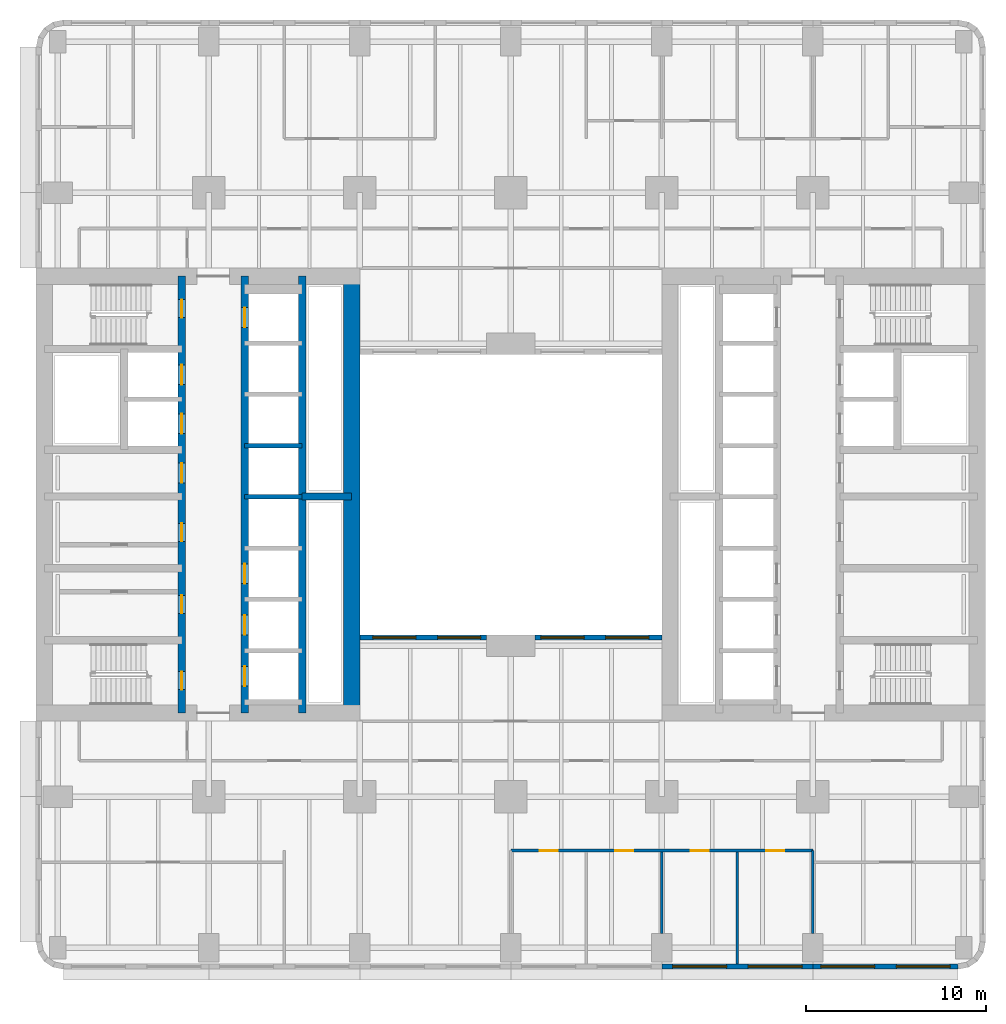
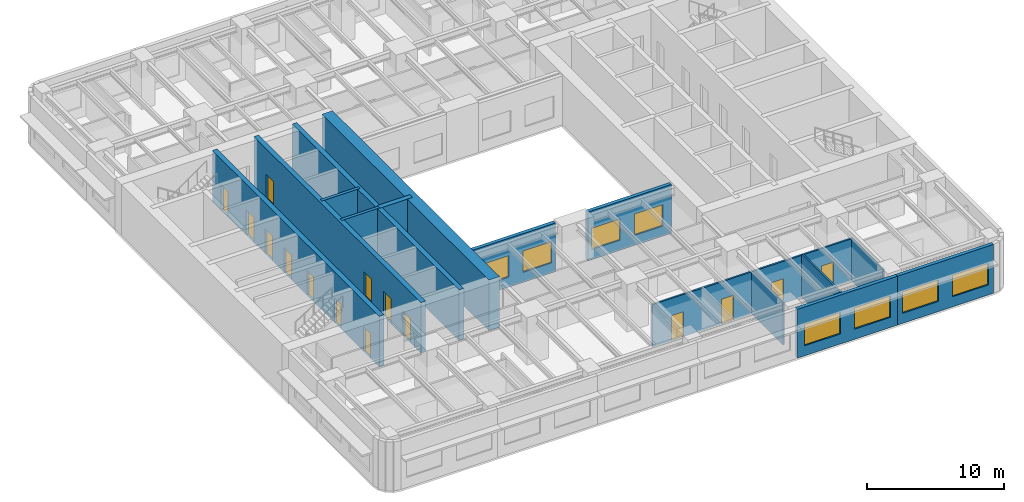
# One storey, part 4 of 14: 15 doors, 15 walls, 8 windows, 23 openings.
"""IFC4 building model written with IfcOpenShell, lengths in metres."""

from ifc_helpers import new_model, si_unit, direction, frame, frame_2d, origin, place, context, subcontext, project, spatial, rectangle, extrude, material, layer, layer_set, type_object, element, fill, save


model = new_model("IFC4")

# Units and contexts
model_context = context("Model", 3, precision=1e-05, world=origin(), true_north=direction((0.0, 1.0)))
body_context = subcontext(model_context, "Body", "Model", "MODEL_VIEW")
ifc_project = project(units=[si_unit("LENGTHUNIT", "METRE"), si_unit("AREAUNIT", "SQUARE_METRE"), si_unit("VOLUMEUNIT", "CUBIC_METRE"), si_unit("PLANEANGLEUNIT", "RADIAN"), si_unit("MASSUNIT", "GRAM", prefix="KILO")], contexts=[model_context])

# Site, building, storey
site_placement = place(None, origin())
site = spatial("IfcSite", under=ifc_project, at=site_placement, CompositionType="ELEMENT")
building_placement = place(site_placement, origin())
building = spatial("IfcBuilding", under=site, at=building_placement, Name="Claustro Exchange Tower", CompositionType="ELEMENT")
storey_placement = place(building_placement, frame((0.0, 0.0, 32.39990234375)))
storey = spatial("IfcBuildingStorey", under=building, at=storey_placement, Name="L07", CompositionType="ELEMENT", Elevation=32.39990234375)

# Wall, openings, doors
ifc_material_1 = material(Name="Gypsum board on steel studs", Category="steel")
ifc_layer_1 = layer(ifc_material_1, 0.14990234375)
ifc_layer_set_1 = layer_set([ifc_layer_1], Name="Gypsum board on steel studs")
wall_type_1 = type_object("IfcWallType", Name="P1 150 plasterboard partition", PredefinedType="PARTITIONING", material=ifc_layer_set_1)
wall_1_placement = place(storey_placement, frame((25.199951171875, 5.39990234375, 0.0), z_axis=(0.0, 0.0, 1.0), x_axis=(1.0, 0.0, 0.0)))
wall_1 = element("IfcWall", 1, at=wall_1_placement, inside=storey, type_object=wall_type_1, Name="Partition P1 L07", PredefinedType="PARTITIONING", context=body_context, shape_type="SweptSolid", body=[
    extrude(rectangle(XDim=16.800048828125, YDim=0.14990234375, at=frame_2d((8.39990234375, 0.0))), origin(), (0.0, 0.0, 1.0), 3.739990234375),
])
opening_1_placement = place(wall_1_placement, frame((1.60009765625, 0.0, 0.0)))
opening_1 = element("IfcOpeningElement", 2, at=opening_1_placement, cuts=wall_1, Name="Opening D1", PredefinedType="OPENING", context=body_context, shape_type="SweptSolid", body=[
    extrude(rectangle(XDim=1.0, YDim=2.199951171875, at=frame_2d((0.5, 1.10009765625))), frame((0.0, 0.0849609375, 0.0), z_axis=(0.0, -1.0, 0.0), x_axis=(1.0, 0.0, 0.0)), (0.0, 0.0, 1.0), 0.169921875),
])
opening_2_placement = place(wall_1_placement, frame((5.800048828125, 0.0, 0.0)))
opening_2 = element("IfcOpeningElement", 3, at=opening_2_placement, cuts=wall_1, Name="Opening D1", PredefinedType="OPENING", context=body_context, shape_type="SweptSolid", body=[
    extrude(rectangle(XDim=1.0, YDim=2.199951171875, at=frame_2d((0.5, 1.10009765625))), frame((0.0, 0.0849609375, 0.0), z_axis=(0.0, -1.0, 0.0), x_axis=(1.0, 0.0, 0.0)), (0.0, 0.0, 1.0), 0.169921875),
])
opening_3_placement = place(wall_1_placement, frame((10.0, 0.0, 0.0)))
opening_3 = element("IfcOpeningElement", 4, at=opening_3_placement, cuts=wall_1, Name="Opening D1", PredefinedType="OPENING", context=body_context, shape_type="SweptSolid", body=[
    extrude(rectangle(XDim=1.0, YDim=2.199951171875, at=frame_2d((0.5, 1.10009765625))), frame((0.0, 0.0849609375, 0.0), z_axis=(0.0, -1.0, 0.0), x_axis=(1.0, 0.0, 0.0)), (0.0, 0.0, 1.0), 0.169921875),
])
opening_4_placement = place(wall_1_placement, frame((14.199951171875, 0.0, 0.0)))
opening_4 = element("IfcOpeningElement", 5, at=opening_4_placement, cuts=wall_1, Name="Opening D1", PredefinedType="OPENING", context=body_context, shape_type="SweptSolid", body=[
    extrude(rectangle(XDim=1.0, YDim=2.199951171875, at=frame_2d((0.5, 1.10009765625))), frame((0.0, 0.0849609375, 0.0), z_axis=(0.0, -1.0, 0.0), x_axis=(1.0, 0.0, 0.0)), (0.0, 0.0, 1.0), 0.169921875),
])
ifc_material_2 = material(Name="Timber door, oak veneer", Category="wood")
door_type_1 = type_object("IfcDoorType", Name="D1 1000 x 2200 single door", OperationType="SINGLE_SWING_LEFT", PredefinedType="DOOR", material=ifc_material_2)
door_1_placement = place(opening_1_placement, frame((1.0, 0.0, 0.0), z_axis=(0.0, 0.0, 1.0), x_axis=(-1.0, 0.0, 0.0)))
door_1 = element("IfcDoor", 6, at=door_1_placement, inside=storey, type_object=door_type_1, Name="Door D1 L07", OperationType="SINGLE_SWING_LEFT", OverallHeight=2.199951171875, OverallWidth=1.0, PredefinedType="DOOR", context=body_context, shape_type="SweptSolid", body=[
    extrude(rectangle(XDim=1.0, YDim=2.199951171875, at=frame_2d((0.5, 1.10009765625))), frame((0.0, 0.02490234375, 0.0), z_axis=(0.0, -1.0, 0.0), x_axis=(1.0, 0.0, 0.0)), (0.0, 0.0, 1.0), 0.050048828125),
])
fill(opening_1, door_1)
door_2_placement = place(opening_2_placement, frame((1.0, 0.0, 0.0), z_axis=(0.0, 0.0, 1.0), x_axis=(-1.0, 0.0, 0.0)))
door_2 = element("IfcDoor", 7, at=door_2_placement, inside=storey, type_object=door_type_1, Name="Door D1 L07", OperationType="SINGLE_SWING_RIGHT", OverallHeight=2.199951171875, OverallWidth=1.0, PredefinedType="DOOR", context=body_context, shape_type="SweptSolid", body=[
    extrude(rectangle(XDim=1.0, YDim=2.199951171875, at=frame_2d((0.5, 1.10009765625))), frame((0.0, 0.02490234375, 0.0), z_axis=(0.0, -1.0, 0.0), x_axis=(1.0, 0.0, 0.0)), (0.0, 0.0, 1.0), 0.050048828125),
])
fill(opening_2, door_2)
door_3_placement = place(opening_3_placement, frame((1.0, 0.0, 0.0), z_axis=(0.0, 0.0, 1.0), x_axis=(-1.0, 0.0, 0.0)))
door_3 = element("IfcDoor", 8, at=door_3_placement, inside=storey, type_object=door_type_1, Name="Door D1 L07", OperationType="SINGLE_SWING_RIGHT", OverallHeight=2.199951171875, OverallWidth=1.0, PredefinedType="DOOR", context=body_context, shape_type="SweptSolid", body=[
    extrude(rectangle(XDim=1.0, YDim=2.199951171875, at=frame_2d((0.5, 1.10009765625))), frame((0.0, 0.02490234375, 0.0), z_axis=(0.0, -1.0, 0.0), x_axis=(1.0, 0.0, 0.0)), (0.0, 0.0, 1.0), 0.050048828125),
])
fill(opening_3, door_3)
door_4_placement = place(opening_4_placement, frame((1.0, 0.0, 0.0), z_axis=(0.0, 0.0, 1.0), x_axis=(-1.0, 0.0, 0.0)))
door_4 = element("IfcDoor", 9, at=door_4_placement, inside=storey, type_object=door_type_1, Name="Door D1 L07", OperationType="SINGLE_SWING_RIGHT", OverallHeight=2.199951171875, OverallWidth=1.0, PredefinedType="DOOR", context=body_context, shape_type="SweptSolid", body=[
    extrude(rectangle(XDim=1.0, YDim=2.199951171875, at=frame_2d((0.5, 1.10009765625))), frame((0.0, 0.02490234375, 0.0), z_axis=(0.0, -1.0, 0.0), x_axis=(1.0, 0.0, 0.0)), (0.0, 0.0, 1.0), 0.050048828125),
])
fill(opening_4, door_4)

# Walls
wall_2_placement = place(storey_placement, frame((33.60009765625, 0.799072265625, 0.0), z_axis=(0.0, 0.0, 1.0), x_axis=(0.0, 1.0, 0.0)))
element("IfcWall", 10, at=wall_2_placement, inside=storey, type_object=wall_type_1, Name="Partition P1 L07", PredefinedType="PARTITIONING", context=body_context, shape_type="SweptSolid", body=[
    extrude(rectangle(XDim=4.52685546875, YDim=0.14990234375, at=frame_2d((2.263427734375, 0.0))), origin(), (0.0, 0.0, 1.0), 3.739990234375),
])
wall_3_placement = place(storey_placement, frame((37.800048828125, -0.902099609375, 0.0), z_axis=(0.0, 0.0, 1.0), x_axis=(0.0, 1.0, 0.0)))
element("IfcWall", 11, at=wall_3_placement, inside=storey, type_object=wall_type_1, Name="Partition P1 L07", PredefinedType="PARTITIONING", context=body_context, shape_type="SweptSolid", body=[
    extrude(rectangle(XDim=6.22802734375, YDim=0.14990234375, at=frame_2d((3.114013671875, 0.0))), origin(), (0.0, 0.0, 1.0), 3.840087890625),
])
wall_4_placement = place(storey_placement, frame((42.0, 0.799072265625, 0.0), z_axis=(0.0, 0.0, 1.0), x_axis=(0.0, 1.0, 0.0)))
element("IfcWall", 12, at=wall_4_placement, inside=storey, type_object=wall_type_1, Name="Partition P1 L07", PredefinedType="PARTITIONING", context=body_context, shape_type="SweptSolid", body=[
    extrude(rectangle(XDim=4.600830078125, YDim=0.14990234375, at=frame_2d((2.30029296875, 0.0))), origin(), (0.0, 0.0, 1.0), 3.739990234375),
])

# Wall, openings, windows
ifc_material_3 = material(Name="Concrete HA-40 (C40/50), precast, white cement, acid-etched", Category="concrete")
ifc_layer_2 = layer(ifc_material_3, 0.300048828125)
ifc_layer_set_2 = layer_set([ifc_layer_2], Name="Concrete HA-40 (C40/50), precast, white cement, acid-etched")
wall_type_2 = type_object("IfcWallType", Name="PC1 300 precast concrete pier panel", PredefinedType="SOLIDWALL", material=ifc_layer_set_2)
wall_5_placement = place(storey_placement, frame((50.085205078125, -1.050048828125, 0.0), z_axis=(0.0, 0.0, 1.0), x_axis=(-1.0, 0.0, 0.0)))
wall_5 = element("IfcWall", 13, at=wall_5_placement, inside=storey, type_object=wall_type_2, Name="Precast pier panel PC1 L07", PredefinedType="SOLIDWALL", context=body_context, shape_type="SweptSolid", body=[
    extrude(rectangle(XDim=8.085205078125, YDim=0.300048828125, at=frame_2d((4.04248046875, 0.0))), origin(), (0.0, 0.0, 1.0), 4.340087890625),
])
opening_5_placement = place(wall_5_placement, frame((0.442626953125, 0.0, 0.89990234375)))
opening_5 = element("IfcOpeningElement", 14, at=opening_5_placement, cuts=wall_5, Name="Opening W1", PredefinedType="OPENING", context=body_context, shape_type="SweptSolid", body=[
    extrude(rectangle(XDim=3.0, YDim=1.89990234375, at=frame_2d((1.5, 0.949951171875))), frame((0.0, 0.159912109375, 0.0), z_axis=(0.0, -1.0, 0.0), x_axis=(1.0, 0.0, 0.0)), (0.0, 0.0, 1.0), 0.320068359375),
])
opening_6_placement = place(wall_5_placement, frame((4.642578125, 0.0, 0.89990234375)))
opening_6 = element("IfcOpeningElement", 15, at=opening_6_placement, cuts=wall_5, Name="Opening W1", PredefinedType="OPENING", context=body_context, shape_type="SweptSolid", body=[
    extrude(rectangle(XDim=3.0, YDim=1.89990234375, at=frame_2d((1.5, 0.949951171875))), frame((0.0, 0.159912109375, 0.0), z_axis=(0.0, -1.0, 0.0), x_axis=(1.0, 0.0, 0.0)), (0.0, 0.0, 1.0), 0.320068359375),
])
ifc_material_4 = material(Name="Aluminium frame, clear double glazing", Category="aluminium")
window_type_1 = type_object("IfcWindowType", Name="W1 3000 x 1900 window", PartitioningType="SINGLE_PANEL", PredefinedType="WINDOW", material=ifc_material_4)
window_1_placement = place(opening_5_placement, origin())
window_1 = element("IfcWindow", 16, at=window_1_placement, inside=storey, type_object=window_type_1, Name="Window W1 L07", OverallHeight=1.89990234375, OverallWidth=3.0, PartitioningType="SINGLE_PANEL", PredefinedType="WINDOW", context=body_context, shape_type="SweptSolid", body=[
    extrude(rectangle(XDim=3.0, YDim=1.89990234375, at=frame_2d((1.5, 0.949951171875))), frame((0.0, 0.030029296875, 0.0), z_axis=(0.0, -1.0, 0.0), x_axis=(1.0, 0.0, 0.0)), (0.0, 0.0, 1.0), 0.06005859375),
])
fill(opening_5, window_1)
window_2_placement = place(opening_6_placement, origin())
window_2 = element("IfcWindow", 17, at=window_2_placement, inside=storey, type_object=window_type_1, Name="Window W1 L07", OverallHeight=1.89990234375, OverallWidth=3.0, PartitioningType="SINGLE_PANEL", PredefinedType="WINDOW", context=body_context, shape_type="SweptSolid", body=[
    extrude(rectangle(XDim=3.0, YDim=1.89990234375, at=frame_2d((1.5, 0.949951171875))), frame((0.0, 0.030029296875, 0.0), z_axis=(0.0, -1.0, 0.0), x_axis=(1.0, 0.0, 0.0)), (0.0, 0.0, 1.0), 0.06005859375),
])
fill(opening_6, window_2)

wall_6_placement = place(storey_placement, frame((42.0, -1.050048828125, 0.0), z_axis=(0.0, 0.0, 1.0), x_axis=(-1.0, 0.0, 0.0)))
wall_6 = element("IfcWall", 18, at=wall_6_placement, inside=storey, type_object=wall_type_2, Name="Precast pier panel PC1 L07", PredefinedType="SOLIDWALL", context=body_context, shape_type="SweptSolid", body=[
    extrude(rectangle(XDim=8.39990234375, YDim=0.300048828125, at=frame_2d((4.199951171875, 0.0))), origin(), (0.0, 0.0, 1.0), 4.340087890625),
])
opening_7_placement = place(wall_6_placement, frame((0.60009765625, 0.0, 0.89990234375)))
opening_7 = element("IfcOpeningElement", 19, at=opening_7_placement, cuts=wall_6, Name="Opening W1", PredefinedType="OPENING", context=body_context, shape_type="SweptSolid", body=[
    extrude(rectangle(XDim=3.0, YDim=1.89990234375, at=frame_2d((1.5, 0.949951171875))), frame((0.0, 0.159912109375, 0.0), z_axis=(0.0, -1.0, 0.0), x_axis=(1.0, 0.0, 0.0)), (0.0, 0.0, 1.0), 0.320068359375),
])
opening_8_placement = place(wall_6_placement, frame((4.800048828125, 0.0, 0.89990234375)))
opening_8 = element("IfcOpeningElement", 20, at=opening_8_placement, cuts=wall_6, Name="Opening W1", PredefinedType="OPENING", context=body_context, shape_type="SweptSolid", body=[
    extrude(rectangle(XDim=3.0, YDim=1.89990234375, at=frame_2d((1.5, 0.949951171875))), frame((0.0, 0.159912109375, 0.0), z_axis=(0.0, -1.0, 0.0), x_axis=(1.0, 0.0, 0.0)), (0.0, 0.0, 1.0), 0.320068359375),
])
window_3_placement = place(opening_7_placement, origin())
window_3 = element("IfcWindow", 21, at=window_3_placement, inside=storey, type_object=window_type_1, Name="Window W1 L07", OverallHeight=1.89990234375, OverallWidth=3.0, PartitioningType="SINGLE_PANEL", PredefinedType="WINDOW", context=body_context, shape_type="SweptSolid", body=[
    extrude(rectangle(XDim=3.0, YDim=1.89990234375, at=frame_2d((1.5, 0.949951171875))), frame((0.0, 0.030029296875, 0.0), z_axis=(0.0, -1.0, 0.0), x_axis=(1.0, 0.0, 0.0)), (0.0, 0.0, 1.0), 0.06005859375),
])
fill(opening_7, window_3)
window_4_placement = place(opening_8_placement, origin())
window_4 = element("IfcWindow", 22, at=window_4_placement, inside=storey, type_object=window_type_1, Name="Window W1 L07", OverallHeight=1.89990234375, OverallWidth=3.0, PartitioningType="SINGLE_PANEL", PredefinedType="WINDOW", context=body_context, shape_type="SweptSolid", body=[
    extrude(rectangle(XDim=3.0, YDim=1.89990234375, at=frame_2d((1.5, 0.949951171875))), frame((0.0, 0.030029296875, 0.0), z_axis=(0.0, -1.0, 0.0), x_axis=(1.0, 0.0, 0.0)), (0.0, 0.0, 1.0), 0.06005859375),
])
fill(opening_8, window_4)

wall_7_placement = place(storey_placement, frame((16.800048828125, 17.25, 0.0), z_axis=(0.0, 0.0, 1.0), x_axis=(1.0, 0.0, 0.0)))
wall_7 = element("IfcWall", 23, at=wall_7_placement, inside=storey, type_object=wall_type_2, Name="Precast pier panel PC1 L07", PredefinedType="SOLIDWALL", context=body_context, shape_type="SweptSolid", body=[
    extrude(rectangle(XDim=7.050048828125, YDim=0.300048828125, at=frame_2d((3.52490234375, 0.0))), origin(), (0.0, 0.0, 1.0), 4.340087890625),
])
opening_9_placement = place(wall_7_placement, frame((0.72509765625, 0.0, 0.89990234375)))
opening_9 = element("IfcOpeningElement", 24, at=opening_9_placement, cuts=wall_7, Name="Opening W2", PredefinedType="OPENING", context=body_context, shape_type="SweptSolid", body=[
    extrude(rectangle(XDim=2.39990234375, YDim=1.89990234375, at=frame_2d((1.199951171875, 0.949951171875))), frame((0.0, 0.159912109375, 0.0), z_axis=(0.0, -1.0, 0.0), x_axis=(1.0, 0.0, 0.0)), (0.0, 0.0, 1.0), 0.320068359375),
])
opening_10_placement = place(wall_7_placement, frame((4.324951171875, 0.0, 0.89990234375)))
opening_10 = element("IfcOpeningElement", 25, at=opening_10_placement, cuts=wall_7, Name="Opening W2", PredefinedType="OPENING", context=body_context, shape_type="SweptSolid", body=[
    extrude(rectangle(XDim=2.39990234375, YDim=1.89990234375, at=frame_2d((1.199951171875, 0.949951171875))), frame((0.0, 0.159912109375, 0.0), z_axis=(0.0, -1.0, 0.0), x_axis=(1.0, 0.0, 0.0)), (0.0, 0.0, 1.0), 0.320068359375),
])
ifc_material_5 = material(Name="Aluminium frame, clear double glazing", Category="aluminium")
window_type_2 = type_object("IfcWindowType", Name="W2 2400 x 1900 window", PartitioningType="SINGLE_PANEL", PredefinedType="WINDOW", material=ifc_material_5)
window_5_placement = place(opening_9_placement, origin())
window_5 = element("IfcWindow", 26, at=window_5_placement, inside=storey, type_object=window_type_2, Name="Window W2 L07", OverallHeight=1.89990234375, OverallWidth=2.39990234375, PartitioningType="SINGLE_PANEL", PredefinedType="WINDOW", context=body_context, shape_type="SweptSolid", body=[
    extrude(rectangle(XDim=2.39990234375, YDim=1.89990234375, at=frame_2d((1.199951171875, 0.949951171875))), frame((0.0, 0.030029296875, 0.0), z_axis=(0.0, -1.0, 0.0), x_axis=(1.0, 0.0, 0.0)), (0.0, 0.0, 1.0), 0.06005859375),
])
fill(opening_9, window_5)
window_6_placement = place(opening_10_placement, origin())
window_6 = element("IfcWindow", 27, at=window_6_placement, inside=storey, type_object=window_type_2, Name="Window W2 L07", OverallHeight=1.89990234375, OverallWidth=2.39990234375, PartitioningType="SINGLE_PANEL", PredefinedType="WINDOW", context=body_context, shape_type="SweptSolid", body=[
    extrude(rectangle(XDim=2.39990234375, YDim=1.89990234375, at=frame_2d((1.199951171875, 0.949951171875))), frame((0.0, 0.030029296875, 0.0), z_axis=(0.0, -1.0, 0.0), x_axis=(1.0, 0.0, 0.0)), (0.0, 0.0, 1.0), 0.06005859375),
])
fill(opening_10, window_6)

wall_8_placement = place(storey_placement, frame((26.550048828125, 17.25, 0.0), z_axis=(0.0, 0.0, 1.0), x_axis=(1.0, 0.0, 0.0)))
wall_8 = element("IfcWall", 28, at=wall_8_placement, inside=storey, type_object=wall_type_2, Name="Precast pier panel PC1 L07", PredefinedType="SOLIDWALL", context=body_context, shape_type="SweptSolid", body=[
    extrude(rectangle(XDim=7.050048828125, YDim=0.300048828125, at=frame_2d((3.52490234375, 0.0))), origin(), (0.0, 0.0, 1.0), 4.340087890625),
])
opening_11_placement = place(wall_8_placement, frame((0.324951171875, 0.0, 0.89990234375)))
opening_11 = element("IfcOpeningElement", 29, at=opening_11_placement, cuts=wall_8, Name="Opening W2", PredefinedType="OPENING", context=body_context, shape_type="SweptSolid", body=[
    extrude(rectangle(XDim=2.39990234375, YDim=1.89990234375, at=frame_2d((1.199951171875, 0.949951171875))), frame((0.0, 0.159912109375, 0.0), z_axis=(0.0, -1.0, 0.0), x_axis=(1.0, 0.0, 0.0)), (0.0, 0.0, 1.0), 0.320068359375),
])
opening_12_placement = place(wall_8_placement, frame((3.925048828125, 0.0, 0.89990234375)))
opening_12 = element("IfcOpeningElement", 30, at=opening_12_placement, cuts=wall_8, Name="Opening W2", PredefinedType="OPENING", context=body_context, shape_type="SweptSolid", body=[
    extrude(rectangle(XDim=2.39990234375, YDim=1.89990234375, at=frame_2d((1.199951171875, 0.949951171875))), frame((0.0, 0.159912109375, 0.0), z_axis=(0.0, -1.0, 0.0), x_axis=(1.0, 0.0, 0.0)), (0.0, 0.0, 1.0), 0.320068359375),
])
window_7_placement = place(opening_11_placement, origin())
window_7 = element("IfcWindow", 31, at=window_7_placement, inside=storey, type_object=window_type_2, Name="Window W2 L07", OverallHeight=1.89990234375, OverallWidth=2.39990234375, PartitioningType="SINGLE_PANEL", PredefinedType="WINDOW", context=body_context, shape_type="SweptSolid", body=[
    extrude(rectangle(XDim=2.39990234375, YDim=1.89990234375, at=frame_2d((1.199951171875, 0.949951171875))), frame((0.0, 0.030029296875, 0.0), z_axis=(0.0, -1.0, 0.0), x_axis=(1.0, 0.0, 0.0)), (0.0, 0.0, 1.0), 0.06005859375),
])
fill(opening_11, window_7)
window_8_placement = place(opening_12_placement, origin())
window_8 = element("IfcWindow", 32, at=window_8_placement, inside=storey, type_object=window_type_2, Name="Window W2 L07", OverallHeight=1.89990234375, OverallWidth=2.39990234375, PartitioningType="SINGLE_PANEL", PredefinedType="WINDOW", context=body_context, shape_type="SweptSolid", body=[
    extrude(rectangle(XDim=2.39990234375, YDim=1.89990234375, at=frame_2d((1.199951171875, 0.949951171875))), frame((0.0, 0.030029296875, 0.0), z_axis=(0.0, -1.0, 0.0), x_axis=(1.0, 0.0, 0.0)), (0.0, 0.0, 1.0), 0.06005859375),
])
fill(opening_12, window_8)

# Wall
ifc_material_6 = material(Name="Concrete HA-70 (C70/85)", Category="concrete")
ifc_layer_3 = layer(ifc_material_6, 0.89990234375)
ifc_layer_set_3 = layer_set([ifc_layer_3], Name="Concrete HA-70 (C70/85)")
wall_type_3 = type_object("IfcWallType", Name="SW1X 900 exposed core shear wall, board-marked face", PredefinedType="SHEAR", material=ifc_layer_set_3)
wall_9_placement = place(storey_placement, frame((16.35009765625, 13.050048828125, 0.0), z_axis=(0.0, 0.0, 1.0), x_axis=(0.0, 1.0, 0.0)))
element("IfcWall", 33, at=wall_9_placement, inside=storey, type_object=wall_type_3, Name="Core wall SW1X W core E face L07", PredefinedType="SHEAR", context=body_context, shape_type="SweptSolid", body=[
    extrude(rectangle(XDim=24.300048828125, YDim=0.89990234375, at=frame_2d((12.14990234375, 0.0))), origin(), (0.0, 0.0, 1.0), 4.5),
])

# Wall, openings, doors
ifc_material_7 = material(Name="Concrete HA-50 (C50/60)", Category="concrete")
ifc_layer_4 = layer(ifc_material_7, 0.39990234375)
ifc_layer_set_4 = layer_set([ifc_layer_4], Name="Concrete HA-50 (C50/60)")
wall_type_4 = type_object("IfcWallType", Name="SW4 400 internal core wall", PredefinedType="SHEAR", material=ifc_layer_set_4)
wall_10_placement = place(storey_placement, frame((6.89990234375, 13.050048828125, 0.0), z_axis=(0.0, 0.0, 1.0), x_axis=(0.0, 1.0, 0.0)))
wall_10 = element("IfcWall", 34, at=wall_10_placement, inside=storey, type_object=wall_type_4, Name="Internal core wall SW4 W core L07", PredefinedType="SHEAR", context=body_context, shape_type="SweptSolid", body=[
    extrude(rectangle(XDim=24.300048828125, YDim=0.39990234375, at=frame_2d((12.14990234375, 0.0))), origin(), (0.0, 0.0, 1.0), 4.5),
])
opening_13_placement = place(wall_10_placement, frame((1.300048828125, 0.0, 0.0)))
opening_13 = element("IfcOpeningElement", 35, at=opening_13_placement, cuts=wall_10, Name="Opening D4", PredefinedType="OPENING", context=body_context, shape_type="SweptSolid", body=[
    extrude(rectangle(XDim=1.0, YDim=2.199951171875, at=frame_2d((0.5, 1.10009765625))), frame((0.0, 0.2099609375, 0.0), z_axis=(0.0, -1.0, 0.0), x_axis=(1.0, 0.0, 0.0)), (0.0, 0.0, 1.0), 0.419921875),
])
opening_14_placement = place(wall_10_placement, frame((22.0, 0.0, 0.0)))
opening_14 = element("IfcOpeningElement", 36, at=opening_14_placement, cuts=wall_10, Name="Opening D4", PredefinedType="OPENING", context=body_context, shape_type="SweptSolid", body=[
    extrude(rectangle(XDim=1.0, YDim=2.199951171875, at=frame_2d((0.5, 1.10009765625))), frame((0.0, 0.2099609375, 0.0), z_axis=(0.0, -1.0, 0.0), x_axis=(1.0, 0.0, 0.0)), (0.0, 0.0, 1.0), 0.419921875),
])
opening_15_placement = place(wall_10_placement, frame((5.550048828125, 0.0, 0.0)))
opening_15 = element("IfcOpeningElement", 37, at=opening_15_placement, cuts=wall_10, Name="Opening D1", PredefinedType="OPENING", context=body_context, shape_type="SweptSolid", body=[
    extrude(rectangle(XDim=1.0, YDim=2.199951171875, at=frame_2d((0.5, 1.10009765625))), frame((0.0, 0.2099609375, 0.0), z_axis=(0.0, -1.0, 0.0), x_axis=(1.0, 0.0, 0.0)), (0.0, 0.0, 1.0), 0.419921875),
])
opening_16_placement = place(wall_10_placement, frame((9.550048828125, 0.0, 0.0)))
opening_16 = element("IfcOpeningElement", 38, at=opening_16_placement, cuts=wall_10, Name="Opening D1", PredefinedType="OPENING", context=body_context, shape_type="SweptSolid", body=[
    extrude(rectangle(XDim=1.0, YDim=2.199951171875, at=frame_2d((0.5, 1.10009765625))), frame((0.0, 0.2099609375, 0.0), z_axis=(0.0, -1.0, 0.0), x_axis=(1.0, 0.0, 0.0)), (0.0, 0.0, 1.0), 0.419921875),
])
opening_17_placement = place(wall_10_placement, frame((12.800048828125, 0.0, 0.0)))
opening_17 = element("IfcOpeningElement", 39, at=opening_17_placement, cuts=wall_10, Name="Opening D10", PredefinedType="OPENING", context=body_context, shape_type="SweptSolid", body=[
    extrude(rectangle(XDim=1.10009765625, YDim=2.199951171875, at=frame_2d((0.550048828125, 1.10009765625))), frame((0.0, 0.2099609375, 0.0), z_axis=(0.0, -1.0, 0.0), x_axis=(1.0, 0.0, 0.0)), (0.0, 0.0, 1.0), 0.419921875),
])
opening_18_placement = place(wall_10_placement, frame((15.53759765625, 0.0, 0.0)))
opening_18 = element("IfcOpeningElement", 40, at=opening_18_placement, cuts=wall_10, Name="Opening LD", PredefinedType="OPENING", context=body_context, shape_type="SweptSolid", body=[
    extrude(rectangle(XDim=1.10009765625, YDim=2.199951171875, at=frame_2d((0.550048828125, 1.10009765625))), frame((0.0, 0.2099609375, 0.0), z_axis=(0.0, -1.0, 0.0), x_axis=(1.0, 0.0, 0.0)), (0.0, 0.0, 1.0), 0.419921875),
])
opening_19_placement = place(wall_10_placement, frame((18.262451171875, 0.0, 0.0)))
opening_19 = element("IfcOpeningElement", 41, at=opening_19_placement, cuts=wall_10, Name="Opening LD", PredefinedType="OPENING", context=body_context, shape_type="SweptSolid", body=[
    extrude(rectangle(XDim=1.10009765625, YDim=2.199951171875, at=frame_2d((0.550048828125, 1.10009765625))), frame((0.0, 0.2099609375, 0.0), z_axis=(0.0, -1.0, 0.0), x_axis=(1.0, 0.0, 0.0)), (0.0, 0.0, 1.0), 0.419921875),
])
door_5_placement = place(opening_15_placement, origin())
door_5 = element("IfcDoor", 42, at=door_5_placement, inside=storey, type_object=door_type_1, Name="Door D1 L07", OperationType="SINGLE_SWING_RIGHT", OverallHeight=2.199951171875, OverallWidth=1.0, PredefinedType="DOOR", context=body_context, shape_type="SweptSolid", body=[
    extrude(rectangle(XDim=1.0, YDim=2.199951171875, at=frame_2d((0.5, 1.10009765625))), frame((0.0, 0.02490234375, 0.0), z_axis=(0.0, -1.0, 0.0), x_axis=(1.0, 0.0, 0.0)), (0.0, 0.0, 1.0), 0.050048828125),
])
fill(opening_15, door_5)
door_6_placement = place(opening_16_placement, origin())
door_6 = element("IfcDoor", 43, at=door_6_placement, inside=storey, type_object=door_type_1, Name="Door D1 L07", OperationType="SINGLE_SWING_LEFT", OverallHeight=2.199951171875, OverallWidth=1.0, PredefinedType="DOOR", context=body_context, shape_type="SweptSolid", body=[
    extrude(rectangle(XDim=1.0, YDim=2.199951171875, at=frame_2d((0.5, 1.10009765625))), frame((0.0, 0.02490234375, 0.0), z_axis=(0.0, -1.0, 0.0), x_axis=(1.0, 0.0, 0.0)), (0.0, 0.0, 1.0), 0.050048828125),
])
fill(opening_16, door_6)
ifc_material_8 = material(Name="Timber door, oak veneer", Category="wood")
door_type_2 = type_object("IfcDoorType", Name="D10 1100 x 2200 accessible WC door", OperationType="SINGLE_SWING_LEFT", PredefinedType="DOOR", material=ifc_material_8)
door_7_placement = place(opening_17_placement, frame((1.10009765625, 0.0, 0.0), z_axis=(0.0, 0.0, 1.0), x_axis=(-1.0, 0.0, 0.0)))
door_7 = element("IfcDoor", 44, at=door_7_placement, inside=storey, type_object=door_type_2, Name="Accessible WC door D10 L07", OperationType="SINGLE_SWING_LEFT", OverallHeight=2.199951171875, OverallWidth=1.10009765625, PredefinedType="DOOR", context=body_context, shape_type="SweptSolid", body=[
    extrude(rectangle(XDim=1.10009765625, YDim=2.199951171875, at=frame_2d((0.550048828125, 1.10009765625))), frame((0.0, 0.02490234375, 0.0), z_axis=(0.0, -1.0, 0.0), x_axis=(1.0, 0.0, 0.0)), (0.0, 0.0, 1.0), 0.050048828125),
])
fill(opening_17, door_7)
ifc_material_9 = material(Name="Steel fire door, painted", Category="steel")
door_type_3 = type_object("IfcDoorType", Name="D4 1000 x 2200 fire-rated stair door", OperationType="SINGLE_SWING_LEFT", PredefinedType="DOOR", material=ifc_material_9)
door_8_placement = place(opening_13_placement, origin())
door_8 = element("IfcDoor", 45, at=door_8_placement, inside=storey, type_object=door_type_3, Name="Stair door D4 L07", OperationType="SINGLE_SWING_LEFT", OverallHeight=2.199951171875, OverallWidth=1.0, PredefinedType="DOOR", context=body_context, shape_type="SweptSolid", body=[
    extrude(rectangle(XDim=1.0, YDim=2.199951171875, at=frame_2d((0.5, 1.10009765625))), frame((0.0, 0.02490234375, 0.0), z_axis=(0.0, -1.0, 0.0), x_axis=(1.0, 0.0, 0.0)), (0.0, 0.0, 1.0), 0.050048828125),
])
fill(opening_13, door_8)
door_9_placement = place(opening_14_placement, origin())
door_9 = element("IfcDoor", 46, at=door_9_placement, inside=storey, type_object=door_type_3, Name="Stair door D4 L07", OperationType="SINGLE_SWING_RIGHT", OverallHeight=2.199951171875, OverallWidth=1.0, PredefinedType="DOOR", context=body_context, shape_type="SweptSolid", body=[
    extrude(rectangle(XDim=1.0, YDim=2.199951171875, at=frame_2d((0.5, 1.10009765625))), frame((0.0, 0.02490234375, 0.0), z_axis=(0.0, -1.0, 0.0), x_axis=(1.0, 0.0, 0.0)), (0.0, 0.0, 1.0), 0.050048828125),
])
fill(opening_14, door_9)
ifc_material_10 = material(Name="Stainless steel sliding door", Category="steel")
door_type_4 = type_object("IfcDoorType", Name="LD 1100 x 2200 lift landing door", OperationType="DOUBLE_DOOR_SLIDING", PredefinedType="DOOR", material=ifc_material_10)
door_10_placement = place(opening_18_placement, origin())
door_10 = element("IfcDoor", 47, at=door_10_placement, inside=storey, type_object=door_type_4, Name="Lift landing door LEW1 LD L07", OperationType="DOUBLE_DOOR_SLIDING", OverallHeight=2.199951171875, OverallWidth=1.10009765625, PredefinedType="DOOR", context=body_context, shape_type="SweptSolid", body=[
    extrude(rectangle(XDim=1.10009765625, YDim=2.199951171875, at=frame_2d((0.550048828125, 1.10009765625))), frame((0.0, 0.02490234375, 0.0), z_axis=(0.0, -1.0, 0.0), x_axis=(1.0, 0.0, 0.0)), (0.0, 0.0, 1.0), 0.050048828125),
])
fill(opening_18, door_10)
door_11_placement = place(opening_19_placement, origin())
door_11 = element("IfcDoor", 48, at=door_11_placement, inside=storey, type_object=door_type_4, Name="Lift landing door LEW2 LD L07", OperationType="DOUBLE_DOOR_SLIDING", OverallHeight=2.199951171875, OverallWidth=1.10009765625, PredefinedType="DOOR", context=body_context, shape_type="SweptSolid", body=[
    extrude(rectangle(XDim=1.10009765625, YDim=2.199951171875, at=frame_2d((0.550048828125, 1.10009765625))), frame((0.0, 0.02490234375, 0.0), z_axis=(0.0, -1.0, 0.0), x_axis=(1.0, 0.0, 0.0)), (0.0, 0.0, 1.0), 0.050048828125),
])
fill(opening_19, door_11)

wall_11_placement = place(storey_placement, frame((10.39990234375, 13.050048828125, 0.0), z_axis=(0.0, 0.0, 1.0), x_axis=(0.0, 1.0, 0.0)))
wall_11 = element("IfcWall", 49, at=wall_11_placement, inside=storey, type_object=wall_type_4, Name="Internal core wall SW4 W core L07", PredefinedType="SHEAR", context=body_context, shape_type="SweptSolid", body=[
    extrude(rectangle(XDim=24.300048828125, YDim=0.39990234375, at=frame_2d((12.14990234375, 0.0))), origin(), (0.0, 0.0, 1.0), 4.5),
])
opening_20_placement = place(wall_11_placement, frame((1.5, 0.0, 0.0)))
opening_20 = element("IfcOpeningElement", 50, at=opening_20_placement, cuts=wall_11, Name="Opening LD", PredefinedType="OPENING", context=body_context, shape_type="SweptSolid", body=[
    extrude(rectangle(XDim=1.10009765625, YDim=2.199951171875, at=frame_2d((0.550048828125, 1.10009765625))), frame((0.0, 0.2099609375, 0.0), z_axis=(0.0, -1.0, 0.0), x_axis=(1.0, 0.0, 0.0)), (0.0, 0.0, 1.0), 0.419921875),
])
opening_21_placement = place(wall_11_placement, frame((4.35009765625, 0.0, 0.0)))
opening_21 = element("IfcOpeningElement", 51, at=opening_21_placement, cuts=wall_11, Name="Opening LD", PredefinedType="OPENING", context=body_context, shape_type="SweptSolid", body=[
    extrude(rectangle(XDim=1.10009765625, YDim=2.199951171875, at=frame_2d((0.550048828125, 1.10009765625))), frame((0.0, 0.2099609375, 0.0), z_axis=(0.0, -1.0, 0.0), x_axis=(1.0, 0.0, 0.0)), (0.0, 0.0, 1.0), 0.419921875),
])
opening_22_placement = place(wall_11_placement, frame((7.199951171875, 0.0, 0.0)))
opening_22 = element("IfcOpeningElement", 52, at=opening_22_placement, cuts=wall_11, Name="Opening LD", PredefinedType="OPENING", context=body_context, shape_type="SweptSolid", body=[
    extrude(rectangle(XDim=1.10009765625, YDim=2.199951171875, at=frame_2d((0.550048828125, 1.10009765625))), frame((0.0, 0.2099609375, 0.0), z_axis=(0.0, -1.0, 0.0), x_axis=(1.0, 0.0, 0.0)), (0.0, 0.0, 1.0), 0.419921875),
])
opening_23_placement = place(wall_11_placement, frame((21.449951171875, 0.0, 0.0)))
opening_23 = element("IfcOpeningElement", 53, at=opening_23_placement, cuts=wall_11, Name="Opening LD", PredefinedType="OPENING", context=body_context, shape_type="SweptSolid", body=[
    extrude(rectangle(XDim=1.10009765625, YDim=2.199951171875, at=frame_2d((0.550048828125, 1.10009765625))), frame((0.0, 0.2099609375, 0.0), z_axis=(0.0, -1.0, 0.0), x_axis=(1.0, 0.0, 0.0)), (0.0, 0.0, 1.0), 0.419921875),
])
door_12_placement = place(opening_20_placement, origin())
door_12 = element("IfcDoor", 54, at=door_12_placement, inside=storey, type_object=door_type_4, Name="Lift landing door LLW1 LD L07", OperationType="DOUBLE_DOOR_SLIDING", OverallHeight=2.199951171875, OverallWidth=1.10009765625, PredefinedType="DOOR", context=body_context, shape_type="SweptSolid", body=[
    extrude(rectangle(XDim=1.10009765625, YDim=2.199951171875, at=frame_2d((0.550048828125, 1.10009765625))), frame((0.0, 0.02490234375, 0.0), z_axis=(0.0, -1.0, 0.0), x_axis=(1.0, 0.0, 0.0)), (0.0, 0.0, 1.0), 0.050048828125),
])
fill(opening_20, door_12)
door_13_placement = place(opening_21_placement, origin())
door_13 = element("IfcDoor", 55, at=door_13_placement, inside=storey, type_object=door_type_4, Name="Lift landing door LLW2 LD L07", OperationType="DOUBLE_DOOR_SLIDING", OverallHeight=2.199951171875, OverallWidth=1.10009765625, PredefinedType="DOOR", context=body_context, shape_type="SweptSolid", body=[
    extrude(rectangle(XDim=1.10009765625, YDim=2.199951171875, at=frame_2d((0.550048828125, 1.10009765625))), frame((0.0, 0.02490234375, 0.0), z_axis=(0.0, -1.0, 0.0), x_axis=(1.0, 0.0, 0.0)), (0.0, 0.0, 1.0), 0.050048828125),
])
fill(opening_21, door_13)
door_14_placement = place(opening_22_placement, origin())
door_14 = element("IfcDoor", 56, at=door_14_placement, inside=storey, type_object=door_type_4, Name="Lift landing door LLW3 LD L07", OperationType="DOUBLE_DOOR_SLIDING", OverallHeight=2.199951171875, OverallWidth=1.10009765625, PredefinedType="DOOR", context=body_context, shape_type="SweptSolid", body=[
    extrude(rectangle(XDim=1.10009765625, YDim=2.199951171875, at=frame_2d((0.550048828125, 1.10009765625))), frame((0.0, 0.02490234375, 0.0), z_axis=(0.0, -1.0, 0.0), x_axis=(1.0, 0.0, 0.0)), (0.0, 0.0, 1.0), 0.050048828125),
])
fill(opening_22, door_14)
door_15_placement = place(opening_23_placement, origin())
door_15 = element("IfcDoor", 57, at=door_15_placement, inside=storey, type_object=door_type_4, Name="Lift landing door LSW1 LD L07", OperationType="DOUBLE_DOOR_SLIDING", OverallHeight=2.199951171875, OverallWidth=1.10009765625, PredefinedType="DOOR", context=body_context, shape_type="SweptSolid", body=[
    extrude(rectangle(XDim=1.10009765625, YDim=2.199951171875, at=frame_2d((0.550048828125, 1.10009765625))), frame((0.0, 0.02490234375, 0.0), z_axis=(0.0, -1.0, 0.0), x_axis=(1.0, 0.0, 0.0)), (0.0, 0.0, 1.0), 0.050048828125),
])
fill(opening_23, door_15)

# Walls
wall_12_placement = place(storey_placement, frame((13.60009765625, 13.050048828125, 0.0), z_axis=(0.0, 0.0, 1.0), x_axis=(0.0, 1.0, 0.0)))
element("IfcWall", 58, at=wall_12_placement, inside=storey, type_object=wall_type_4, Name="Internal core wall SW4 W core L07", PredefinedType="SHEAR", context=body_context, shape_type="SweptSolid", body=[
    extrude(rectangle(XDim=24.300048828125, YDim=0.39990234375, at=frame_2d((12.14990234375, 0.0))), origin(), (0.0, 0.0, 1.0), 4.5),
])
wall_13_placement = place(storey_placement, frame((13.60009765625, 25.10009765625, 0.0), z_axis=(0.0, 0.0, 1.0), x_axis=(1.0, 0.0, 0.0)))
element("IfcWall", 59, at=wall_13_placement, inside=storey, type_object=wall_type_4, Name="Internal core wall SW4 W core L07", PredefinedType="SHEAR", context=body_context, shape_type="SweptSolid", body=[
    extrude(rectangle(XDim=2.75, YDim=0.39990234375, at=frame_2d((1.375, 0.0))), origin(), (0.0, 0.0, 1.0), 4.5),
])
ifc_material_11 = material(Name="Concrete HA-50 (C50/60)", Category="concrete")
ifc_layer_5 = layer(ifc_material_11, 0.25)
ifc_layer_set_5 = layer_set([ifc_layer_5], Name="Concrete HA-50 (C50/60)")
wall_type_5 = type_object("IfcWallType", Name="SW5 250 lift shaft divider wall", PredefinedType="SHEAR", material=ifc_layer_set_5)
for number, where, z_axis, x_axis, name in (
    (60, (10.39990234375, 25.074951171875, 0.0), (0.0, 0.0, 1.0), (1.0, 0.0, 0.0), "Lift shaft wall W core L07"),
    (61, (10.39990234375, 27.925048828125, 0.0), (0.0, 0.0, 1.0), (1.0, 0.0, 0.0), "Lift shaft wall W core L07"),
):
    element("IfcWall", number, at=place(storey_placement, frame(where, z_axis=z_axis, x_axis=x_axis)), inside=storey, type_object=wall_type_5, Name=name, PredefinedType="SHEAR", context=body_context, shape_type="SweptSolid", body=[
        extrude(rectangle(XDim=3.2001953125, YDim=0.25, at=frame_2d((1.60009765625, 0.0))), origin(), (0.0, 0.0, 1.0), 4.5),
    ])

save(model, "model.ifc")
